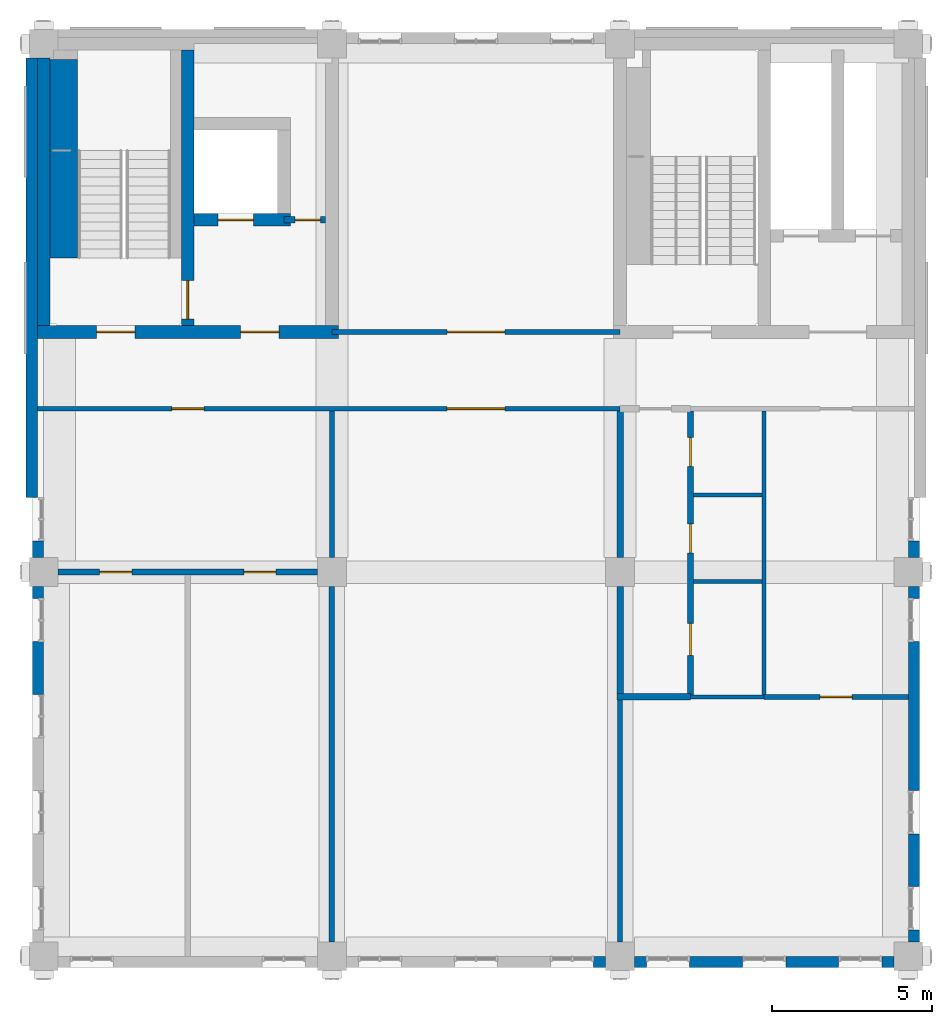
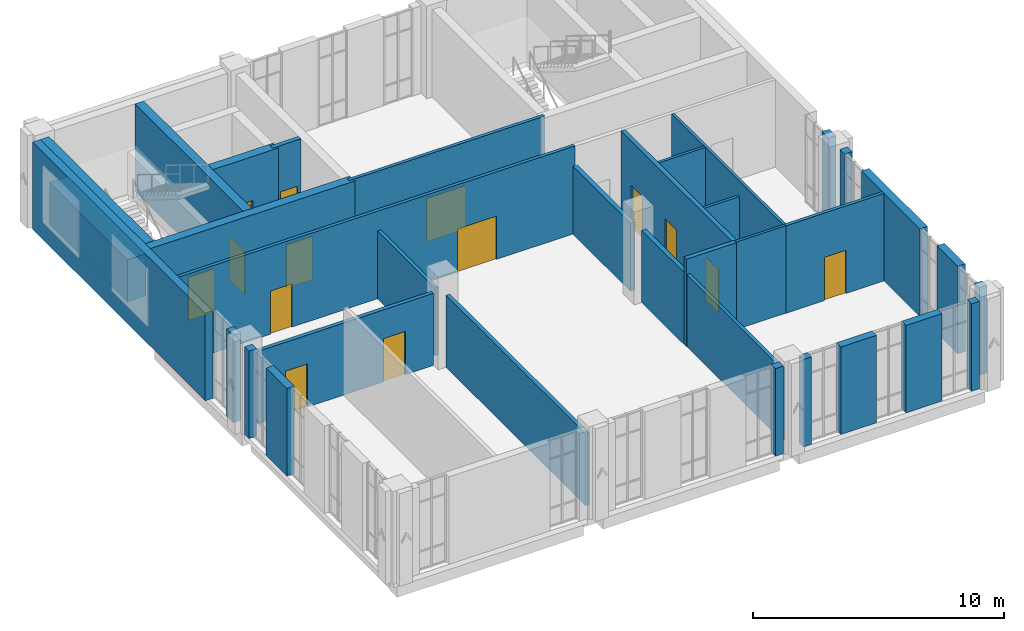
# One storey, part 9 of 13: 35 walls, 14 doors, 14 openings.
"""IFC4 building model written with IfcOpenShell, lengths in metres."""

from ifc_helpers import new_model, si_unit, direction, frame, frame_2d, origin, place, context, subcontext, project, spatial, rectangle, extrude, material, layer, layer_set, type_object, element, fill, save


model = new_model("IFC4")

# Units and contexts
model_context = context("Model", 3, precision=1e-05, world=origin(), true_north=direction((0.0, 1.0)))
body_context = subcontext(model_context, "Body", "Model", "MODEL_VIEW")
ifc_project = project(units=[si_unit("LENGTHUNIT", "METRE"), si_unit("AREAUNIT", "SQUARE_METRE"), si_unit("VOLUMEUNIT", "CUBIC_METRE"), si_unit("PLANEANGLEUNIT", "RADIAN"), si_unit("MASSUNIT", "GRAM", prefix="KILO")], contexts=[model_context])

# Site, building, storey
site_placement = place(None, origin())
site = spatial("IfcSite", under=ifc_project, at=site_placement, CompositionType="ELEMENT")
building_placement = place(site_placement, origin())
building = spatial("IfcBuilding", under=site, at=building_placement, Name="Aurelan Courthouse", CompositionType="ELEMENT")
storey_placement = place(building_placement, frame((0.0, 0.0, 48.89990234375)))
storey = spatial("IfcBuildingStorey", under=building, at=storey_placement, Name="L09", CompositionType="ELEMENT", Elevation=48.89990234375)

# Wall, openings, doors
ifc_material_1 = material(Name="Gypsum board on metal studs")
ifc_layer_1 = layer(ifc_material_1, 0.175048828125)
ifc_layer_set_1 = layer_set([ifc_layer_1], Name="Gypsum board on metal studs")
wall_type_1 = type_object("IfcWallType", Name="Chambers acoustic partition 175 NOT RATED", PredefinedType="PARTITIONING", material=ifc_layer_set_1)
wall_1_placement = place(storey_placement, frame((0.449951171875, 12.0, 0.0), z_axis=(0.0, 0.0, 1.0), x_axis=(1.0, 0.0, 0.0)))
wall_1 = element("IfcWall", 1, at=wall_1_placement, inside=storey, type_object=wall_type_1, Name="Chambers acoustic partition L09-005", PredefinedType="PARTITIONING", context=body_context, shape_type="SweptSolid", body=[
    extrude(rectangle(XDim=8.10009765625, YDim=0.175048828125, at=frame_2d((4.050048828125, 0.0))), origin(), (0.0, 0.0, 1.0), 3.5),
])
opening_1_placement = place(wall_1_placement, frame((1.300048828125, 0.0, 0.0)))
opening_1 = element("IfcOpeningElement", 2, at=opening_1_placement, cuts=wall_1, Name="Opening D-L09-011", PredefinedType="OPENING", context=body_context, shape_type="SweptSolid", body=[
    extrude(rectangle(XDim=1.0, YDim=2.10009765625, at=frame_2d((0.5, 1.050048828125))), frame((0.0, 0.097412109375, 0.0), z_axis=(0.0, -1.0, 0.0), x_axis=(1.0, 0.0, 0.0)), (0.0, 0.0, 1.0), 0.195068359375),
])
opening_2_placement = place(wall_1_placement, frame((5.800048828125, 0.0, 0.0)))
opening_2 = element("IfcOpeningElement", 3, at=opening_2_placement, cuts=wall_1, Name="Opening D-L09-012", PredefinedType="OPENING", context=body_context, shape_type="SweptSolid", body=[
    extrude(rectangle(XDim=1.0, YDim=2.10009765625, at=frame_2d((0.5, 1.050048828125))), frame((0.0, 0.097412109375, 0.0), z_axis=(0.0, -1.0, 0.0), x_axis=(1.0, 0.0, 0.0)), (0.0, 0.0, 1.0), 0.195068359375),
])
ifc_material_2 = material(Name="Timber", Category="wood")
door_type_1 = type_object("IfcDoorType", Name="Single door 1000 x 2100 NOT RATED", OperationType="SINGLE_SWING_LEFT", PredefinedType="DOOR", material=ifc_material_2)
door_1_placement = place(opening_1_placement, origin())
door_1 = element("IfcDoor", 4, at=door_1_placement, inside=storey, type_object=door_type_1, Name="Single door D-L09-011", OperationType="SINGLE_SWING_LEFT", OverallHeight=2.10009765625, OverallWidth=1.0, PredefinedType="DOOR", context=body_context, shape_type="SweptSolid", body=[
    extrude(rectangle(XDim=1.0, YDim=2.10009765625, at=frame_2d((0.5, 1.050048828125))), frame((0.0, 0.02490234375, 0.0), z_axis=(0.0, -1.0, 0.0), x_axis=(1.0, 0.0, 0.0)), (0.0, 0.0, 1.0), 0.050048828125),
])
fill(opening_1, door_1)
door_2_placement = place(opening_2_placement, origin())
door_2 = element("IfcDoor", 5, at=door_2_placement, inside=storey, type_object=door_type_1, Name="Single door D-L09-012", OperationType="SINGLE_SWING_RIGHT", OverallHeight=2.10009765625, OverallWidth=1.0, PredefinedType="DOOR", context=body_context, shape_type="SweptSolid", body=[
    extrude(rectangle(XDim=1.0, YDim=2.10009765625, at=frame_2d((0.5, 1.050048828125))), frame((0.0, 0.02490234375, 0.0), z_axis=(0.0, -1.0, 0.0), x_axis=(1.0, 0.0, 0.0)), (0.0, 0.0, 1.0), 0.050048828125),
])
fill(opening_2, door_2)

# Wall
wall_2_placement = place(storey_placement, frame((9.0, 0.449951171875, 0.0), z_axis=(0.0, 0.0, 1.0), x_axis=(0.0, 1.0, 0.0)))
element("IfcWall", 6, at=wall_2_placement, inside=storey, type_object=wall_type_1, Name="Chambers acoustic partition L09-013", PredefinedType="PARTITIONING", context=body_context, shape_type="SweptSolid", body=[
    extrude(rectangle(XDim=11.10009765625, YDim=0.175048828125, at=frame_2d((5.550048828125, 0.0))), origin(), (0.0, 0.0, 1.0), 3.5),
])

# Wall, openings, doors
ifc_layer_2 = layer(ifc_material_1, 0.14990234375)
ifc_layer_set_2 = layer_set([ifc_layer_2], Name="Gypsum board on metal studs")
wall_type_2 = type_object("IfcWallType", Name="Corridor partition 150 EI 60", PredefinedType="PARTITIONING", material=ifc_layer_set_2)
wall_3_placement = place(storey_placement, frame((-0.199951171875, 17.10009765625, 0.0), z_axis=(0.0, 0.0, 1.0), x_axis=(1.0, 0.0, 0.0)))
wall_3 = element("IfcWall", 7, at=wall_3_placement, inside=storey, type_object=wall_type_2, Name="Corridor partition L09-007", PredefinedType="PARTITIONING", context=body_context, shape_type="SweptSolid", body=[
    extrude(rectangle(XDim=18.199951171875, YDim=0.14990234375, at=frame_2d((9.10009765625, 0.0))), origin(), (0.0, 0.0, 1.0), 4.25),
])
opening_3_placement = place(wall_3_placement, frame((5.199951171875, 0.0, 0.0), z_axis=(0.0, 0.0, 1.0), x_axis=(-1.0, 0.0, 0.0)))
opening_3 = element("IfcOpeningElement", 8, at=opening_3_placement, cuts=wall_3, Name="Opening D-L09-010", PredefinedType="OPENING", context=body_context, shape_type="SweptSolid", body=[
    extrude(rectangle(XDim=1.0, YDim=2.10009765625, at=frame_2d((0.5, 1.050048828125))), frame((0.0, 0.0849609375, 0.0), z_axis=(0.0, -1.0, 0.0), x_axis=(1.0, 0.0, 0.0)), (0.0, 0.0, 1.0), 0.169921875),
])
opening_4_placement = place(wall_3_placement, frame((14.60009765625, 0.0, 0.0), z_axis=(0.0, 0.0, 1.0), x_axis=(-1.0, 0.0, 0.0)))
opening_4 = element("IfcOpeningElement", 9, at=opening_4_placement, cuts=wall_3, Name="Opening D-L09-013", PredefinedType="OPENING", context=body_context, shape_type="SweptSolid", body=[
    extrude(rectangle(XDim=1.800048828125, YDim=2.10009765625, at=frame_2d((0.89990234375, 1.050048828125))), frame((0.0, 0.0849609375, 0.0), z_axis=(0.0, -1.0, 0.0), x_axis=(1.0, 0.0, 0.0)), (0.0, 0.0, 1.0), 0.169921875),
])
ifc_material_3 = material(Name="Steel", Category="steel")
door_type_2 = type_object("IfcDoorType", Name="Double door 1800 x 2100 FD60", OperationType="DOUBLE_DOOR_SINGLE_SWING", PredefinedType="DOOR", material=ifc_material_3)
door_3_placement = place(opening_4_placement, origin())
door_3 = element("IfcDoor", 10, at=door_3_placement, inside=storey, type_object=door_type_2, Name="Double door D-L09-013", OperationType="DOUBLE_DOOR_SINGLE_SWING", OverallHeight=2.10009765625, OverallWidth=1.800048828125, PredefinedType="DOOR", context=body_context, shape_type="SweptSolid", body=[
    extrude(rectangle(XDim=1.800048828125, YDim=2.10009765625, at=frame_2d((0.89990234375, 1.050048828125))), frame((0.0, 0.02490234375, 0.0), z_axis=(0.0, -1.0, 0.0), x_axis=(1.0, 0.0, 0.0)), (0.0, 0.0, 1.0), 0.050048828125),
])
fill(opening_4, door_3)
door_type_3 = type_object("IfcDoorType", Name="Single door 1000 x 2100 FD60", OperationType="SINGLE_SWING_LEFT", PredefinedType="DOOR", material=ifc_material_3)
door_4_placement = place(opening_3_placement, origin())
door_4 = element("IfcDoor", 11, at=door_4_placement, inside=storey, type_object=door_type_3, Name="Single door D-L09-010", OperationType="SINGLE_SWING_LEFT", OverallHeight=2.10009765625, OverallWidth=1.0, PredefinedType="DOOR", context=body_context, shape_type="SweptSolid", body=[
    extrude(rectangle(XDim=1.0, YDim=2.10009765625, at=frame_2d((0.5, 1.050048828125))), frame((0.0, 0.02490234375, 0.0), z_axis=(0.0, -1.0, 0.0), x_axis=(1.0, 0.0, 0.0)), (0.0, 0.0, 1.0), 0.050048828125),
])
fill(opening_3, door_4)

# Wall, opening, door
wall_4_placement = place(storey_placement, frame((9.0, 19.5, 0.0), z_axis=(0.0, 0.0, 1.0), x_axis=(1.0, 0.0, 0.0)))
wall_4 = element("IfcWall", 12, at=wall_4_placement, inside=storey, type_object=wall_type_2, Name="Corridor partition L09-010", PredefinedType="PARTITIONING", context=body_context, shape_type="SweptSolid", body=[
    extrude(rectangle(XDim=9.0, YDim=0.14990234375, at=frame_2d((4.5, 0.0))), origin(), (0.0, 0.0, 1.0), 4.25),
])
opening_5_placement = place(wall_4_placement, frame((3.60009765625, 0.0, 0.0)))
opening_5 = element("IfcOpeningElement", 13, at=opening_5_placement, cuts=wall_4, Name="Opening D-L09-014", PredefinedType="OPENING", context=body_context, shape_type="SweptSolid", body=[
    extrude(rectangle(XDim=1.800048828125, YDim=2.10009765625, at=frame_2d((0.89990234375, 1.050048828125))), frame((0.0, 0.0849609375, 0.0), z_axis=(0.0, -1.0, 0.0), x_axis=(1.0, 0.0, 0.0)), (0.0, 0.0, 1.0), 0.169921875),
])
door_5_placement = place(opening_5_placement, origin())
door_5 = element("IfcDoor", 14, at=door_5_placement, inside=storey, type_object=door_type_2, Name="Double door D-L09-014", OperationType="DOUBLE_DOOR_SINGLE_SWING", OverallHeight=2.10009765625, OverallWidth=1.800048828125, PredefinedType="DOOR", context=body_context, shape_type="SweptSolid", body=[
    extrude(rectangle(XDim=1.800048828125, YDim=2.10009765625, at=frame_2d((0.89990234375, 1.050048828125))), frame((0.0, 0.02490234375, 0.0), z_axis=(0.0, -1.0, 0.0), x_axis=(1.0, 0.0, 0.0)), (0.0, 0.0, 1.0), 0.050048828125),
])
fill(opening_5, door_5)

# Walls
ifc_material_4 = material(Name="Limestone cladding", Category="masonry")
ifc_layer_3 = layer(ifc_material_4, 0.10009765625, Name="Facing")
ifc_material_5 = material(Name="Ventilated cavity")
ifc_layer_4 = layer(ifc_material_5, 0.02490234375, ventilated=True, Name="Ventilated cavity")
ifc_material_6 = material(Name="Mineral wool insulation")
ifc_layer_5 = layer(ifc_material_6, 0.050048828125, Name="Insulation")
ifc_material_7 = material(Name="Concrete C30", Category="concrete")
ifc_layer_6 = layer(ifc_material_7, 0.175048828125, Name="Structure")
ifc_layer_set_3 = layer_set([ifc_layer_3, ifc_layer_4, ifc_layer_5, ifc_layer_6], Name="Concrete C30")
wall_type_3 = type_object("IfcWallType", Name="Courts' Floors stone-faced wall 350", PredefinedType="SOLIDWALL", material=ifc_layer_set_3)
for number, where, z_axis, x_axis, name in (
    (15, (17.175048828125, -0.175048828125, 0.0), (0.0, 0.0, 1.0), (1.0, 0.0, 0.0), "Facade wall FW-V5-L09-007"),
    (16, (18.449951171875, -0.175048828125, 0.0), (0.0, 0.0, 1.0), (1.0, 0.0, 0.0), "Facade wall FW-V5-L09-008"),
):
    element("IfcWall", number, at=place(storey_placement, frame(where, z_axis=z_axis, x_axis=x_axis)), inside=storey, type_object=wall_type_3, Name=name, PredefinedType="SOLIDWALL", context=body_context, shape_type="SweptSolid", body=[
        extrude(rectangle(XDim=0.375, YDim=0.35009765625, at=frame_2d((0.1875, 0.0))), origin(), (0.0, 0.0, 1.0), 4.25),
    ])
for number, where, z_axis, x_axis, name in (
    (17, (20.175048828125, -0.175048828125, 0.0), (0.0, 0.0, 1.0), (1.0, 0.0, 0.0), "Facade wall FW-V5-L09-009"),
    (18, (23.175048828125, -0.175048828125, 0.0), (0.0, 0.0, 1.0), (1.0, 0.0, 0.0), "Facade wall FW-V5-L09-010"),
):
    element("IfcWall", number, at=place(storey_placement, frame(where, z_axis=z_axis, x_axis=x_axis)), inside=storey, type_object=wall_type_3, Name=name, PredefinedType="SOLIDWALL", context=body_context, shape_type="SweptSolid", body=[
        extrude(rectangle(XDim=1.64990234375, YDim=0.35009765625, at=frame_2d((0.824951171875, 0.0))), origin(), (0.0, 0.0, 1.0), 4.25),
    ])
for number, where, z_axis, x_axis, name in (
    (19, (26.175048828125, -0.175048828125, 0.0), (0.0, 0.0, 1.0), (1.0, 0.0, 0.0), "Facade wall FW-V5-L09-011"),
    (20, (27.175048828125, 0.449951171875, 0.0), (0.0, 0.0, 1.0), (0.0, 1.0, 0.0), "Facade wall FW-V5-L09-018"),
):
    element("IfcWall", number, at=place(storey_placement, frame(where, z_axis=z_axis, x_axis=x_axis)), inside=storey, type_object=wall_type_3, Name=name, PredefinedType="SOLIDWALL", context=body_context, shape_type="SweptSolid", body=[
        extrude(rectangle(XDim=0.375, YDim=0.35009765625, at=frame_2d((0.1875, 0.0))), origin(), (0.0, 0.0, 1.0), 4.25),
    ])
wall_5_placement = place(storey_placement, frame((27.175048828125, 2.175048828125, 0.0), z_axis=(0.0, 0.0, 1.0), x_axis=(0.0, 1.0, 0.0)))
element("IfcWall", 21, at=wall_5_placement, inside=storey, type_object=wall_type_3, Name="Facade wall FW-V5-L09-019", PredefinedType="SOLIDWALL", context=body_context, shape_type="SweptSolid", body=[
    extrude(rectangle(XDim=1.64990234375, YDim=0.35009765625, at=frame_2d((0.824951171875, 0.0))), origin(), (0.0, 0.0, 1.0), 4.25),
])
wall_6_placement = place(storey_placement, frame((27.175048828125, 5.175048828125, 0.0), z_axis=(0.0, 0.0, 1.0), x_axis=(0.0, 1.0, 0.0)))
element("IfcWall", 22, at=wall_6_placement, inside=storey, type_object=wall_type_3, Name="Facade wall FW-V5-L09-020", PredefinedType="SOLIDWALL", context=body_context, shape_type="SweptSolid", body=[
    extrude(rectangle(XDim=4.64990234375, YDim=0.35009765625, at=frame_2d((2.324951171875, 0.0))), origin(), (0.0, 0.0, 1.0), 4.25),
])
wall_7_placement = place(storey_placement, frame((27.175048828125, 11.175048828125, 0.0), z_axis=(0.0, 0.0, 1.0), x_axis=(0.0, 1.0, 0.0)))
element("IfcWall", 23, at=wall_7_placement, inside=storey, type_object=wall_type_3, Name="Facade wall FW-V5-L09-021", PredefinedType="SOLIDWALL", context=body_context, shape_type="SweptSolid", body=[
    extrude(rectangle(XDim=0.375, YDim=0.35009765625, at=frame_2d((0.1875, 0.0))), origin(), (0.0, 0.0, 1.0), 4.25),
])
wall_8_placement = place(storey_placement, frame((27.175048828125, 12.449951171875, 0.0), z_axis=(0.0, 0.0, 1.0), x_axis=(0.0, 1.0, 0.0)))
element("IfcWall", 24, at=wall_8_placement, inside=storey, type_object=wall_type_3, Name="Facade wall FW-V5-L09-022", PredefinedType="SOLIDWALL", context=body_context, shape_type="SweptSolid", body=[
    extrude(rectangle(XDim=0.525146484375, YDim=0.35009765625, at=frame_2d((0.2626953125, 0.0))), origin(), (0.0, 0.0, 1.0), 4.25),
])
wall_9_placement = place(storey_placement, frame((-0.175048828125, 8.175048828125, 0.0), z_axis=(0.0, 0.0, 1.0), x_axis=(0.0, 1.0, 0.0)))
element("IfcWall", 25, at=wall_9_placement, inside=storey, type_object=wall_type_3, Name="Facade wall FW-V5-L09-027", PredefinedType="SOLIDWALL", context=body_context, shape_type="SweptSolid", body=[
    extrude(rectangle(XDim=1.64990234375, YDim=0.35009765625, at=frame_2d((0.824951171875, 0.0))), origin(), (0.0, 0.0, 1.0), 4.25),
])
wall_10_placement = place(storey_placement, frame((-0.175048828125, 11.175048828125, 0.0), z_axis=(0.0, 0.0, 1.0), x_axis=(0.0, 1.0, 0.0)))
element("IfcWall", 26, at=wall_10_placement, inside=storey, type_object=wall_type_3, Name="Facade wall FW-V5-L09-028", PredefinedType="SOLIDWALL", context=body_context, shape_type="SweptSolid", body=[
    extrude(rectangle(XDim=0.375, YDim=0.35009765625, at=frame_2d((0.1875, 0.0))), origin(), (0.0, 0.0, 1.0), 4.25),
])
wall_11_placement = place(storey_placement, frame((-0.175048828125, 12.449951171875, 0.0), z_axis=(0.0, 0.0, 1.0), x_axis=(0.0, 1.0, 0.0)))
element("IfcWall", 27, at=wall_11_placement, inside=storey, type_object=wall_type_3, Name="Facade wall FW-V5-L09-029", PredefinedType="SOLIDWALL", context=body_context, shape_type="SweptSolid", body=[
    extrude(rectangle(XDim=0.525146484375, YDim=0.35009765625, at=frame_2d((0.2626953125, 0.0))), origin(), (0.0, 0.0, 1.0), 4.25),
])
wall_12_placement = place(storey_placement, frame((-0.375, 14.324951171875, 0.0), z_axis=(0.0, 0.0, 1.0), x_axis=(0.0, 1.0, 0.0)))
element("IfcWall", 28, at=wall_12_placement, inside=storey, type_object=wall_type_3, Name="Facade wall FW-V5-L09-030", PredefinedType="SOLIDWALL", context=body_context, shape_type="SweptSolid", body=[
    extrude(rectangle(XDim=13.72509765625, YDim=0.35009765625, at=frame_2d((6.862548828125, 0.0))), origin(), (0.0, 0.0, 1.0), 4.25),
])
ifc_material_8 = material(Name="Masonry block", Category="masonry")
ifc_layer_7 = layer(ifc_material_8, 0.199951171875)
ifc_layer_set_4 = layer_set([ifc_layer_7], Name="Masonry block")
wall_type_4 = type_object("IfcWallType", Name="Lift lobby wall 200 EI 60", PredefinedType="PARTITIONING", material=ifc_layer_set_4)
wall_13_placement = place(storey_placement, frame((17.89990234375, 8.10009765625, 0.0), z_axis=(0.0, 0.0, 1.0), x_axis=(1.0, 0.0, 0.0)))
element("IfcWall", 29, at=wall_13_placement, inside=storey, type_object=wall_type_4, Name="Lift lobby wall L09-001", PredefinedType="PARTITIONING", context=body_context, shape_type="SweptSolid", body=[
    extrude(rectangle(XDim=2.300048828125, YDim=0.199951171875, at=frame_2d((1.14990234375, 0.0))), origin(), (0.0, 0.0, 1.0), 4.25),
])
wall_14_placement = place(storey_placement, frame((18.0, 8.10009765625, 0.0), z_axis=(0.0, 0.0, 1.0), x_axis=(0.0, 1.0, 0.0)))
element("IfcWall", 30, at=wall_14_placement, inside=storey, type_object=wall_type_4, Name="Lift lobby wall L09-016", PredefinedType="PARTITIONING", context=body_context, shape_type="SweptSolid", body=[
    extrude(rectangle(XDim=3.449951171875, YDim=0.199951171875, at=frame_2d((1.72509765625, 0.0))), origin(), (0.0, 0.0, 1.0), 3.5),
])
wall_15_placement = place(storey_placement, frame((18.0, 12.449951171875, 0.0), z_axis=(0.0, 0.0, 1.0), x_axis=(0.0, 1.0, 0.0)))
element("IfcWall", 31, at=wall_15_placement, inside=storey, type_object=wall_type_4, Name="Lift lobby wall L09-017", PredefinedType="PARTITIONING", context=body_context, shape_type="SweptSolid", body=[
    extrude(rectangle(XDim=4.574951171875, YDim=0.199951171875, at=frame_2d((2.28759765625, 0.0))), origin(), (0.0, 0.0, 1.0), 3.300048828125),
])

# Wall, openings, doors
wall_16_placement = place(storey_placement, frame((20.199951171875, 8.16259765625, 0.0), z_axis=(0.0, 0.0, 1.0), x_axis=(0.0, 1.0, 0.0)))
wall_16 = element("IfcWall", 32, at=wall_16_placement, inside=storey, type_object=wall_type_4, Name="Lift lobby wall L09-018", PredefinedType="PARTITIONING", context=body_context, shape_type="SweptSolid", body=[
    extrude(rectangle(XDim=8.8623046875, YDim=0.199951171875, at=frame_2d((4.43115234375, 0.0))), origin(), (0.0, 0.0, 1.0), 4.25),
])
opening_6_placement = place(wall_16_placement, frame((8.037353515625, 0.0, 0.0), z_axis=(0.0, 0.0, 1.0), x_axis=(-1.0, 0.0, 0.0)))
opening_6 = element("IfcOpeningElement", 33, at=opening_6_placement, cuts=wall_16, Name="Opening D-L09-018", PredefinedType="OPENING", context=body_context, shape_type="SweptSolid", body=[
    extrude(rectangle(XDim=0.89990234375, YDim=2.10009765625, at=frame_2d((0.449951171875, 1.050048828125))), frame((0.0, 0.10986328125, 0.0), z_axis=(0.0, -1.0, 0.0), x_axis=(1.0, 0.0, 0.0)), (0.0, 0.0, 1.0), 0.219970703125),
])
opening_7_placement = place(wall_16_placement, frame((5.33740234375, 0.0, 0.0), z_axis=(0.0, 0.0, 1.0), x_axis=(-1.0, 0.0, 0.0)))
opening_7 = element("IfcOpeningElement", 34, at=opening_7_placement, cuts=wall_16, Name="Opening D-L09-019", PredefinedType="OPENING", context=body_context, shape_type="SweptSolid", body=[
    extrude(rectangle(XDim=0.89990234375, YDim=2.10009765625, at=frame_2d((0.449951171875, 1.050048828125))), frame((0.0, 0.10986328125, 0.0), z_axis=(0.0, -1.0, 0.0), x_axis=(1.0, 0.0, 0.0)), (0.0, 0.0, 1.0), 0.219970703125),
])
opening_8_placement = place(wall_16_placement, frame((2.237548828125, 0.0, 0.0), z_axis=(0.0, 0.0, 1.0), x_axis=(-1.0, 0.0, 0.0)))
opening_8 = element("IfcOpeningElement", 35, at=opening_8_placement, cuts=wall_16, Name="Opening D-L09-020", PredefinedType="OPENING", context=body_context, shape_type="SweptSolid", body=[
    extrude(rectangle(XDim=1.0, YDim=2.10009765625, at=frame_2d((0.5, 1.050048828125))), frame((0.0, 0.10986328125, 0.0), z_axis=(0.0, -1.0, 0.0), x_axis=(1.0, 0.0, 0.0)), (0.0, 0.0, 1.0), 0.219970703125),
])
door_6_placement = place(opening_8_placement, origin())
door_6 = element("IfcDoor", 36, at=door_6_placement, inside=storey, type_object=door_type_3, Name="Single door D-L09-020", OperationType="SINGLE_SWING_RIGHT", OverallHeight=2.10009765625, OverallWidth=1.0, PredefinedType="DOOR", context=body_context, shape_type="SweptSolid", body=[
    extrude(rectangle(XDim=1.0, YDim=2.10009765625, at=frame_2d((0.5, 1.050048828125))), frame((0.0, 0.02490234375, 0.0), z_axis=(0.0, -1.0, 0.0), x_axis=(1.0, 0.0, 0.0)), (0.0, 0.0, 1.0), 0.050048828125),
])
fill(opening_8, door_6)
door_type_4 = type_object("IfcDoorType", Name="Single door 900 x 2100 FD60", OperationType="SINGLE_SWING_LEFT", PredefinedType="DOOR", material=ifc_material_3)
door_7_placement = place(opening_6_placement, origin())
door_7 = element("IfcDoor", 37, at=door_7_placement, inside=storey, type_object=door_type_4, Name="Single door D-L09-018", OperationType="SINGLE_SWING_RIGHT", OverallHeight=2.10009765625, OverallWidth=0.89990234375, PredefinedType="DOOR", context=body_context, shape_type="SweptSolid", body=[
    extrude(rectangle(XDim=0.89990234375, YDim=2.10009765625, at=frame_2d((0.449951171875, 1.050048828125))), frame((0.0, 0.02490234375, 0.0), z_axis=(0.0, -1.0, 0.0), x_axis=(1.0, 0.0, 0.0)), (0.0, 0.0, 1.0), 0.050048828125),
])
fill(opening_6, door_7)
door_8_placement = place(opening_7_placement, origin())
door_8 = element("IfcDoor", 38, at=door_8_placement, inside=storey, type_object=door_type_4, Name="Single door D-L09-019", OperationType="SINGLE_SWING_LEFT", OverallHeight=2.10009765625, OverallWidth=0.89990234375, PredefinedType="DOOR", context=body_context, shape_type="SweptSolid", body=[
    extrude(rectangle(XDim=0.89990234375, YDim=2.10009765625, at=frame_2d((0.449951171875, 1.050048828125))), frame((0.0, 0.02490234375, 0.0), z_axis=(0.0, -1.0, 0.0), x_axis=(1.0, 0.0, 0.0)), (0.0, 0.0, 1.0), 0.050048828125),
])
fill(opening_7, door_8)

# Wall, opening, door
ifc_layer_8 = layer(ifc_material_1, 0.14990234375)
ifc_layer_set_5 = layer_set([ifc_layer_8], Name="Gypsum board on metal studs")
wall_type_5 = type_object("IfcWallType", Name="Partition 150 NOT RATED", PredefinedType="PARTITIONING", material=ifc_layer_set_5)
wall_17_placement = place(storey_placement, frame((22.5, 8.10009765625, 0.0), z_axis=(0.0, 0.0, 1.0), x_axis=(1.0, 0.0, 0.0)))
wall_17 = element("IfcWall", 39, at=wall_17_placement, inside=storey, type_object=wall_type_5, Name="Partition L09-003", PredefinedType="PARTITIONING", context=body_context, shape_type="SweptSolid", body=[
    extrude(rectangle(XDim=4.5, YDim=0.14990234375, at=frame_2d((2.25, 0.0))), origin(), (0.0, 0.0, 1.0), 4.25),
])
opening_9_placement = place(wall_17_placement, frame((2.75, 0.0, 0.0), z_axis=(0.0, 0.0, 1.0), x_axis=(-1.0, 0.0, 0.0)))
opening_9 = element("IfcOpeningElement", 40, at=opening_9_placement, cuts=wall_17, Name="Opening D-L09-017", PredefinedType="OPENING", context=body_context, shape_type="SweptSolid", body=[
    extrude(rectangle(XDim=1.0, YDim=2.10009765625, at=frame_2d((0.5, 1.050048828125))), frame((0.0, 0.0849609375, 0.0), z_axis=(0.0, -1.0, 0.0), x_axis=(1.0, 0.0, 0.0)), (0.0, 0.0, 1.0), 0.169921875),
])
door_9_placement = place(opening_9_placement, origin())
door_9 = element("IfcDoor", 41, at=door_9_placement, inside=storey, type_object=door_type_1, Name="Single door D-L09-017", OperationType="SINGLE_SWING_LEFT", OverallHeight=2.10009765625, OverallWidth=1.0, PredefinedType="DOOR", context=body_context, shape_type="SweptSolid", body=[
    extrude(rectangle(XDim=1.0, YDim=2.10009765625, at=frame_2d((0.5, 1.050048828125))), frame((0.0, 0.02490234375, 0.0), z_axis=(0.0, -1.0, 0.0), x_axis=(1.0, 0.0, 0.0)), (0.0, 0.0, 1.0), 0.050048828125),
])
fill(opening_9, door_9)

# Walls
wall_18_placement = place(storey_placement, frame((9.0, 12.449951171875, 0.0), z_axis=(0.0, 0.0, 1.0), x_axis=(0.0, 1.0, 0.0)))
element("IfcWall", 42, at=wall_18_placement, inside=storey, type_object=wall_type_5, Name="Partition L09-014", PredefinedType="PARTITIONING", context=body_context, shape_type="SweptSolid", body=[
    extrude(rectangle(XDim=4.574951171875, YDim=0.14990234375, at=frame_2d((2.28759765625, 0.0))), origin(), (0.0, 0.0, 1.0), 3.300048828125),
])
wall_19_placement = place(storey_placement, frame((18.0, 0.449951171875, 0.0), z_axis=(0.0, 0.0, 1.0), x_axis=(0.0, 1.0, 0.0)))
element("IfcWall", 43, at=wall_19_placement, inside=storey, type_object=wall_type_5, Name="Partition L09-015", PredefinedType="PARTITIONING", context=body_context, shape_type="SweptSolid", body=[
    extrude(rectangle(XDim=7.650146484375, YDim=0.14990234375, at=frame_2d((3.8251953125, 0.0))), origin(), (0.0, 0.0, 1.0), 3.5),
])

# Wall, openings, doors
ifc_material_9 = material(Name="Concrete C50", Category="concrete")
ifc_layer_9 = layer(ifc_material_9, 0.39990234375)
ifc_layer_set_6 = layer_set([ifc_layer_9], Name="Concrete C50")
wall_type_6 = type_object("IfcWallType", Name="RC shear wall 400", PredefinedType="SHEAR", material=ifc_layer_set_6)
wall_20_placement = place(storey_placement, frame((-0.199951171875, 19.5, 0.0), z_axis=(0.0, 0.0, 1.0), x_axis=(1.0, 0.0, 0.0)))
wall_20 = element("IfcWall", 44, at=wall_20_placement, inside=storey, type_object=wall_type_6, Name="Core wall SW-L09-001", PredefinedType="SHEAR", context=body_context, shape_type="SweptSolid", body=[
    extrude(rectangle(XDim=9.39990234375, YDim=0.39990234375, at=frame_2d((4.699951171875, 0.0))), origin(), (0.0, 0.0, 1.0), 4.25),
])
opening_10_placement = place(wall_20_placement, frame((1.85009765625, 0.0, 0.0)))
opening_10 = element("IfcOpeningElement", 45, at=opening_10_placement, cuts=wall_20, Name="Opening D-L09-001", PredefinedType="OPENING", context=body_context, shape_type="SweptSolid", body=[
    extrude(rectangle(XDim=1.199951171875, YDim=2.10009765625, at=frame_2d((0.60009765625, 1.050048828125))), frame((0.0, 0.2099609375, 0.0), z_axis=(0.0, -1.0, 0.0), x_axis=(1.0, 0.0, 0.0)), (0.0, 0.0, 1.0), 0.419921875),
])
opening_11_placement = place(wall_20_placement, frame((6.35009765625, 0.0, 0.0)))
opening_11 = element("IfcOpeningElement", 46, at=opening_11_placement, cuts=wall_20, Name="Opening D-L09-003", PredefinedType="OPENING", context=body_context, shape_type="SweptSolid", body=[
    extrude(rectangle(XDim=1.199951171875, YDim=2.10009765625, at=frame_2d((0.60009765625, 1.050048828125))), frame((0.0, 0.2099609375, 0.0), z_axis=(0.0, -1.0, 0.0), x_axis=(1.0, 0.0, 0.0)), (0.0, 0.0, 1.0), 0.419921875),
])
door_type_5 = type_object("IfcDoorType", Name="Single door 1200 x 2100 FD90", OperationType="SINGLE_SWING_LEFT", PredefinedType="DOOR", material=ifc_material_3)
door_10_placement = place(opening_10_placement, origin())
door_10 = element("IfcDoor", 47, at=door_10_placement, inside=storey, type_object=door_type_5, Name="Single door D-L09-001", OperationType="SINGLE_SWING_RIGHT", OverallHeight=2.10009765625, OverallWidth=1.199951171875, PredefinedType="DOOR", context=body_context, shape_type="SweptSolid", body=[
    extrude(rectangle(XDim=1.199951171875, YDim=2.10009765625, at=frame_2d((0.60009765625, 1.050048828125))), frame((0.0, 0.02490234375, 0.0), z_axis=(0.0, -1.0, 0.0), x_axis=(1.0, 0.0, 0.0)), (0.0, 0.0, 1.0), 0.050048828125),
])
fill(opening_10, door_10)
door_11_placement = place(opening_11_placement, origin())
door_11 = element("IfcDoor", 48, at=door_11_placement, inside=storey, type_object=door_type_5, Name="Single door D-L09-003", OperationType="SINGLE_SWING_RIGHT", OverallHeight=2.10009765625, OverallWidth=1.199951171875, PredefinedType="DOOR", context=body_context, shape_type="SweptSolid", body=[
    extrude(rectangle(XDim=1.199951171875, YDim=2.10009765625, at=frame_2d((0.60009765625, 1.050048828125))), frame((0.0, 0.02490234375, 0.0), z_axis=(0.0, -1.0, 0.0), x_axis=(1.0, 0.0, 0.0)), (0.0, 0.0, 1.0), 0.050048828125),
])
fill(opening_11, door_11)

# Wall
wall_21_placement = place(storey_placement, frame((0.0, 19.699951171875, 0.0), z_axis=(0.0, 0.0, 1.0), x_axis=(0.0, 1.0, 0.0)))
element("IfcWall", 49, at=wall_21_placement, inside=storey, type_object=wall_type_6, Name="Core wall SW-L09-003", PredefinedType="SHEAR", context=body_context, shape_type="SweptSolid", body=[
    extrude(rectangle(XDim=8.35009765625, YDim=0.39990234375, at=frame_2d((4.175048828125, 0.0))), origin(), (0.0, 0.0, 1.0), 4.25),
])

# Wall, opening, door
wall_22_placement = place(storey_placement, frame((4.5, 19.699951171875, 0.0), z_axis=(0.0, 0.0, 1.0), x_axis=(0.0, 1.0, 0.0)))
wall_22 = element("IfcWall", 50, at=wall_22_placement, inside=storey, type_object=wall_type_6, Name="Core wall SW-L09-004", PredefinedType="SHEAR", context=body_context, shape_type="SweptSolid", body=[
    extrude(rectangle(XDim=8.60009765625, YDim=0.39990234375, at=frame_2d((4.300048828125, 0.0))), origin(), (0.0, 0.0, 1.0), 4.25),
])
opening_12_placement = place(wall_22_placement, frame((0.199951171875, 0.0, 0.0)))
opening_12 = element("IfcOpeningElement", 51, at=opening_12_placement, cuts=wall_22, Name="Opening D-L09-002", PredefinedType="OPENING", context=body_context, shape_type="SweptSolid", body=[
    extrude(rectangle(XDim=1.199951171875, YDim=2.10009765625, at=frame_2d((0.60009765625, 1.050048828125))), frame((0.0, 0.2099609375, 0.0), z_axis=(0.0, -1.0, 0.0), x_axis=(1.0, 0.0, 0.0)), (0.0, 0.0, 1.0), 0.419921875),
])
door_12_placement = place(opening_12_placement, origin())
door_12 = element("IfcDoor", 52, at=door_12_placement, inside=storey, type_object=door_type_5, Name="Single door D-L09-002", OperationType="SINGLE_SWING_LEFT", OverallHeight=2.10009765625, OverallWidth=1.199951171875, PredefinedType="DOOR", context=body_context, shape_type="SweptSolid", body=[
    extrude(rectangle(XDim=1.199951171875, YDim=2.10009765625, at=frame_2d((0.60009765625, 1.050048828125))), frame((0.0, 0.02490234375, 0.0), z_axis=(0.0, -1.0, 0.0), x_axis=(1.0, 0.0, 0.0)), (0.0, 0.0, 1.0), 0.050048828125),
])
fill(opening_12, door_12)

wall_23_placement = place(storey_placement, frame((4.699951171875, 23.0, 0.0), z_axis=(0.0, 0.0, 1.0), x_axis=(1.0, 0.0, 0.0)))
wall_23 = element("IfcWall", 53, at=wall_23_placement, inside=storey, type_object=wall_type_6, Name="Core wall SW-L09-011", PredefinedType="SHEAR", context=body_context, shape_type="SweptSolid", body=[
    extrude(rectangle(XDim=3.0, YDim=0.39990234375, at=frame_2d((1.5, 0.0))), origin(), (0.0, 0.0, 1.0), 4.25),
])
opening_13_placement = place(wall_23_placement, frame((0.75, 0.0, 0.0)))
opening_13 = element("IfcOpeningElement", 54, at=opening_13_placement, cuts=wall_23, Name="Opening LD-V5-F1-L09", PredefinedType="OPENING", context=body_context, shape_type="SweptSolid", body=[
    extrude(rectangle(XDim=1.10009765625, YDim=2.10009765625, at=frame_2d((0.550048828125, 1.050048828125))), frame((0.0, 0.2099609375, 0.0), z_axis=(0.0, -1.0, 0.0), x_axis=(1.0, 0.0, 0.0)), (0.0, 0.0, 1.0), 0.419921875),
])
door_type_6 = type_object("IfcDoorType", Name="Lift landing door 1100 x 2100 FD90", OperationType="SLIDING_TO_LEFT", PredefinedType="DOOR", material=ifc_material_3)
door_13_placement = place(opening_13_placement, origin())
door_13 = element("IfcDoor", 55, at=door_13_placement, inside=storey, type_object=door_type_6, Name="Lift landing door LD-V5-F1-L09", OperationType="SLIDING_TO_LEFT", OverallHeight=2.10009765625, OverallWidth=1.10009765625, PredefinedType="DOOR", context=body_context, shape_type="SweptSolid", body=[
    extrude(rectangle(XDim=1.10009765625, YDim=2.10009765625, at=frame_2d((0.550048828125, 1.050048828125))), frame((0.0, 0.02490234375, 0.0), z_axis=(0.0, -1.0, 0.0), x_axis=(1.0, 0.0, 0.0)), (0.0, 0.0, 1.0), 0.050048828125),
])
fill(opening_13, door_13)

ifc_layer_10 = layer(ifc_material_7, 0.199951171875)
ifc_layer_set_7 = layer_set([ifc_layer_10], Name="Concrete C30")
wall_type_7 = type_object("IfcWallType", Name="Shaft wall 200 EI 120 load-bearing", PredefinedType="SHEAR", material=ifc_layer_set_7)
wall_24_placement = place(storey_placement, frame((7.5, 23.0, 0.0), z_axis=(0.0, 0.0, 1.0), x_axis=(1.0, 0.0, 0.0)))
wall_24 = element("IfcWall", 56, at=wall_24_placement, inside=storey, type_object=wall_type_7, Name="Shaft wall L09-011", PredefinedType="SHEAR", context=body_context, shape_type="SweptSolid", body=[
    extrude(rectangle(XDim=1.300048828125, YDim=0.199951171875, at=frame_2d((0.64990234375, 0.0))), origin(), (0.0, 0.0, 1.0), 4.25),
])
opening_14_placement = place(wall_24_placement, frame((1.150146484375, 0.0, 0.0), z_axis=(0.0, 0.0, 1.0), x_axis=(-1.0, 0.0, 0.0)))
opening_14 = element("IfcOpeningElement", 57, at=opening_14_placement, cuts=wall_24, Name="Opening D-L09-005", PredefinedType="OPENING", context=body_context, shape_type="SweptSolid", body=[
    extrude(rectangle(XDim=0.800048828125, YDim=2.0, at=frame_2d((0.39990234375, 1.0))), frame((0.0, 0.10986328125, 0.0), z_axis=(0.0, -1.0, 0.0), x_axis=(1.0, 0.0, 0.0)), (0.0, 0.0, 1.0), 0.219970703125),
])
door_type_7 = type_object("IfcDoorType", Name="Single door 800 x 2000 FD90", OperationType="SINGLE_SWING_LEFT", PredefinedType="DOOR", material=ifc_material_3)
door_14_placement = place(opening_14_placement, origin())
door_14 = element("IfcDoor", 58, at=door_14_placement, inside=storey, type_object=door_type_7, Name="Single door D-L09-005", OperationType="SINGLE_SWING_LEFT", OverallHeight=2.0, OverallWidth=0.800048828125, PredefinedType="DOOR", context=body_context, shape_type="SweptSolid", body=[
    extrude(rectangle(XDim=0.800048828125, YDim=2.0, at=frame_2d((0.39990234375, 1.0))), frame((0.0, 0.02490234375, 0.0), z_axis=(0.0, -1.0, 0.0), x_axis=(1.0, 0.0, 0.0)), (0.0, 0.0, 1.0), 0.050048828125),
])
fill(opening_14, door_14)

# Walls
ifc_layer_11 = layer(ifc_material_7, 0.860107421875)
ifc_layer_set_8 = layer_set([ifc_layer_11], Name="Concrete C30")
wall_type_8 = type_object("IfcWallType", Name="Stair well wall 860 EI 120 load-bearing", PredefinedType="SHEAR", material=ifc_layer_set_8)
wall_25_placement = place(storey_placement, frame((0.6298828125, 21.81005859375, 0.0), z_axis=(0.0, 0.0, 1.0), x_axis=(0.0, 1.0, 0.0)))
element("IfcWall", 59, at=wall_25_placement, inside=storey, type_object=wall_type_8, Name="Stair well wall ST-5B-L09 A", PredefinedType="SHEAR", context=body_context, shape_type="SweptSolid", body=[
    extrude(rectangle(XDim=6.18994140625, YDim=0.860107421875, at=frame_2d((3.094970703125, 0.0))), origin(), (0.0, 0.0, 1.0), 2.050048828125),
])
ifc_material_10 = material(Name="Moisture-resistant board on metal studs")
ifc_layer_12 = layer(ifc_material_10, 0.125)
ifc_layer_set_9 = layer_set([ifc_layer_12], Name="Moisture-resistant board on metal studs")
wall_type_9 = type_object("IfcWallType", Name="Wet-area partition 125 NOT RATED", PredefinedType="PARTITIONING", material=ifc_layer_set_9)
wall_26_placement = place(storey_placement, frame((20.199951171875, 8.10009765625, 0.0), z_axis=(0.0, 0.0, 1.0), x_axis=(1.0, 0.0, 0.0)))
element("IfcWall", 60, at=wall_26_placement, inside=storey, type_object=wall_type_9, Name="Wet-area partition L09-002", PredefinedType="PARTITIONING", context=body_context, shape_type="SweptSolid", body=[
    extrude(rectangle(XDim=2.300048828125, YDim=0.125, at=frame_2d((1.14990234375, 0.0))), origin(), (0.0, 0.0, 1.0), 4.25),
])
wall_27_placement = place(storey_placement, frame((20.300048828125, 11.699951171875, 0.0), z_axis=(0.0, 0.0, 1.0), x_axis=(1.0, 0.0, 0.0)))
element("IfcWall", 61, at=wall_27_placement, inside=storey, type_object=wall_type_9, Name="Wet-area partition L09-004", PredefinedType="PARTITIONING", context=body_context, shape_type="SweptSolid", body=[
    extrude(rectangle(XDim=2.137451171875, YDim=0.125, at=frame_2d((1.06884765625, 0.0))), origin(), (0.0, 0.0, 1.0), 3.5),
])
wall_28_placement = place(storey_placement, frame((20.300048828125, 14.39990234375, 0.0), z_axis=(0.0, 0.0, 1.0), x_axis=(1.0, 0.0, 0.0)))
element("IfcWall", 62, at=wall_28_placement, inside=storey, type_object=wall_type_9, Name="Wet-area partition L09-006", PredefinedType="PARTITIONING", context=body_context, shape_type="SweptSolid", body=[
    extrude(rectangle(XDim=2.137451171875, YDim=0.125, at=frame_2d((1.06884765625, 0.0))), origin(), (0.0, 0.0, 1.0), 4.25),
])
wall_29_placement = place(storey_placement, frame((22.5, 8.16259765625, 0.0), z_axis=(0.0, 0.0, 1.0), x_axis=(0.0, 1.0, 0.0)))
element("IfcWall", 63, at=wall_29_placement, inside=storey, type_object=wall_type_9, Name="Wet-area partition L09-019", PredefinedType="PARTITIONING", context=body_context, shape_type="SweptSolid", body=[
    extrude(rectangle(XDim=8.8623046875, YDim=0.125, at=frame_2d((4.43115234375, 0.0))), origin(), (0.0, 0.0, 1.0), 4.25),
])

save(model, "model.ifc")
